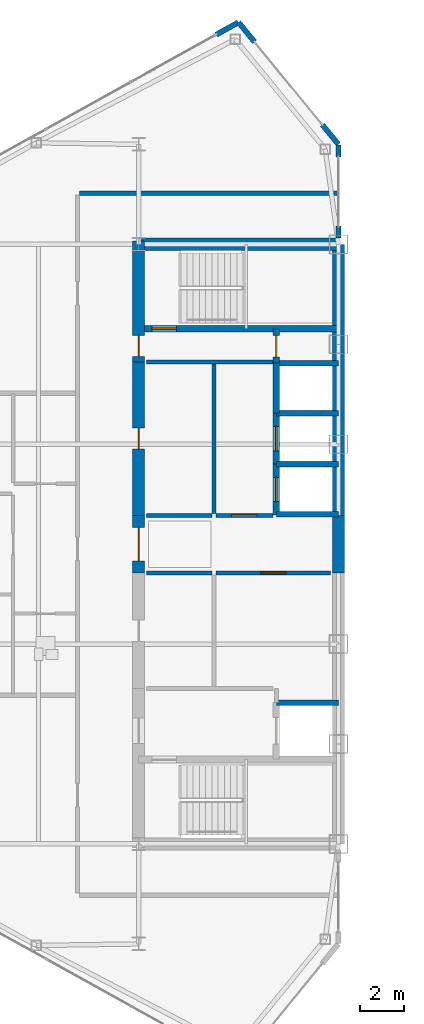
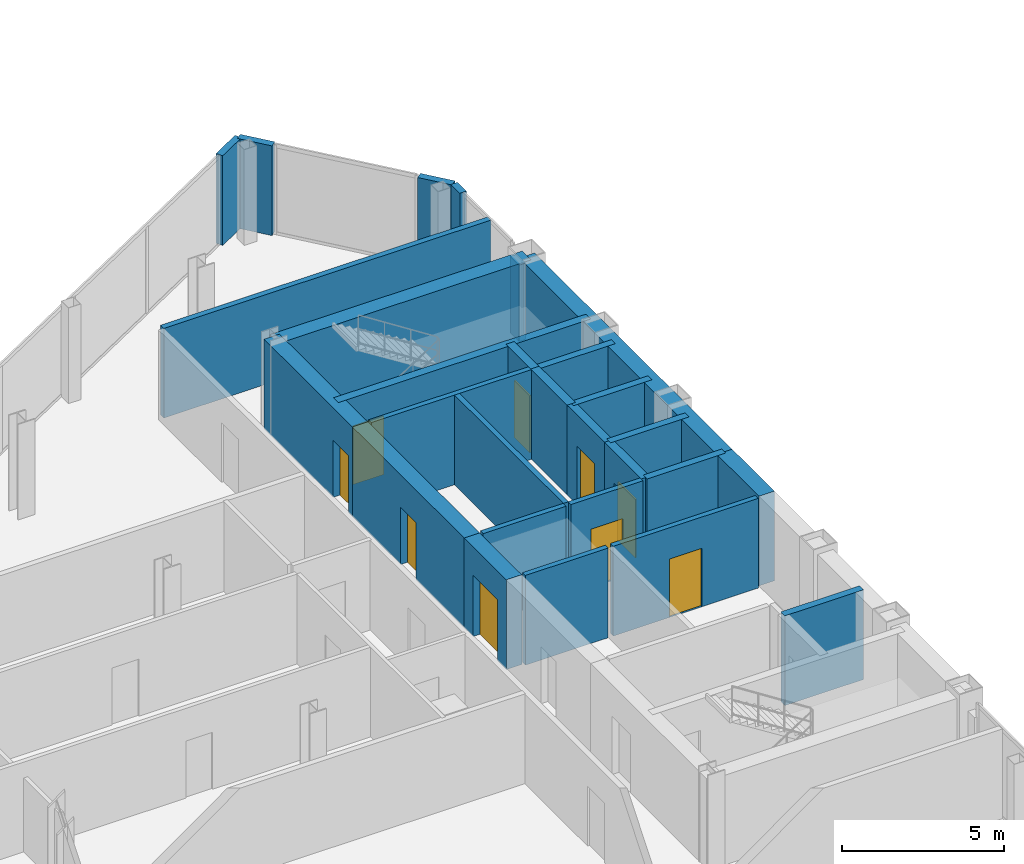
# One storey, part 20 of 25: 28 walls, 9 doors, 9 openings.
"""IFC4 building model written with IfcOpenShell, lengths in metres."""

from ifc_helpers import new_model, si_unit, direction, frame, frame_2d, origin, place, context, subcontext, project, spatial, rectangle, extrude, source, transform, mapped, material, layer, layer_set, type_object, type_shapes, element, fill, save


model = new_model("IFC4")

# Units and contexts
model_context = context("Model", 3, precision=1e-05, world=origin(), true_north=direction((0.0, 1.0)))
body_context = subcontext(model_context, "Body", "Model", "MODEL_VIEW")
ifc_project = project(units=[si_unit("LENGTHUNIT", "METRE"), si_unit("AREAUNIT", "SQUARE_METRE"), si_unit("VOLUMEUNIT", "CUBIC_METRE"), si_unit("PLANEANGLEUNIT", "RADIAN"), si_unit("MASSUNIT", "GRAM", prefix="KILO")], contexts=[model_context])

# Site, building, storey
site_placement = place(None, origin())
site = spatial("IfcSite", under=ifc_project, at=site_placement, CompositionType="ELEMENT")
building_placement = place(site_placement, origin())
building = spatial("IfcBuilding", under=site, at=building_placement, Name="Seokmaru Belvedere", CompositionType="ELEMENT")
storey_placement = place(building_placement, frame((0.0, 0.0, 185.10009765625)))
storey = spatial("IfcBuildingStorey", under=building, at=storey_placement, Name="L49", CompositionType="ELEMENT", Elevation=185.10009765625)

# Walls
ifc_material_1 = material(Name="Fire-Rated Gypsum Shaftwall")
ifc_layer_1 = layer(ifc_material_1, 0.179931640625)
ifc_layer_set_1 = layer_set([ifc_layer_1], Name="Fire-Rated Gypsum Shaftwall")
wall_type_1 = type_object("IfcWallType", Name="Core Service Fire Partition 180", PredefinedType="PARTITIONING", material=ifc_layer_set_1)
wall_1_placement = place(storey_placement, frame((-36.14990234375, 8.199951171875, 0.0), z_axis=(0.0, 0.0, 1.0), x_axis=(1.0, 0.0, 0.0)))
element("IfcWall", 1, at=wall_1_placement, inside=storey, type_object=wall_type_1, Name="L49 West Smokeproof Vestibule Partition", PredefinedType="PARTITIONING", context=body_context, shape_type="SweptSolid", body=[
    extrude(rectangle(XDim=5.699951171875, YDim=0.179931640625, at=frame_2d((2.85009765625, 0.0))), origin(), (0.0, 0.0, 1.0), 3.3798828125),
])
wall_2_placement = place(storey_placement, frame((-33.10009765625, 1.3798828125, 0.0), z_axis=(0.0, 0.0, 1.0), x_axis=(0.0, 1.0, 0.0)))
element("IfcWall", 2, at=wall_2_placement, inside=storey, type_object=wall_type_1, Name="L49 West North Core Service Back Wall", PredefinedType="PARTITIONING", context=body_context, shape_type="SweptSolid", body=[
    extrude(rectangle(XDim=6.740234375, YDim=0.179931640625, at=frame_2d((3.3701171875, 0.0))), origin(), (0.0, 0.0, 1.0), 3.3798828125),
])

# Wall, opening, door
wall_3_placement = place(storey_placement, frame((-33.02001953125, -1.300048828125, 0.0), z_axis=(0.0, 0.0, 1.0), x_axis=(1.0, 0.0, 0.0)))
wall_3 = element("IfcWall", 3, at=wall_3_placement, inside=storey, type_object=wall_type_1, Name="L49 West South Lift Lobby Foyer Wall", PredefinedType="PARTITIONING", context=body_context, shape_type="SweptSolid", body=[
    extrude(rectangle(XDim=5.169921875, YDim=0.179931640625, at=frame_2d((2.5849609375, 0.0))), origin(), (0.0, 0.0, 1.0), 3.3798828125),
])
opening_1_placement = place(wall_3_placement, frame((2.010009765625, 0.0, 0.0)))
opening_1 = element("IfcOpeningElement", 4, at=opening_1_placement, cuts=wall_3, Name="Opening D02", PredefinedType="OPENING", context=body_context, shape_type="SweptSolid", body=[
    extrude(rectangle(XDim=1.14990234375, YDim=2.199951171875, at=frame_2d((0.574951171875, 1.10009765625))), frame((0.0, 0.10009765625, 0.0), z_axis=(0.0, -1.0, 0.0), x_axis=(1.0, 0.0, 0.0)), (0.0, 0.0, 1.0), 0.199951171875),
])
ifc_material_2 = material(Name="Fire-Rated Steel Leaf", Category="steel")
door_type_1 = type_object("IfcDoorType", Name="Lobby and Vestibule Fire Door 1150x2200", OperationType="NOTDEFINED", PredefinedType="DOOR", material=ifc_material_2)
shared_shape_1 = source(origin(), body_context, "Body", "SweptSolid", [
    extrude(rectangle(XDim=1.14990234375, YDim=2.199951171875, at=frame_2d((0.574951171875, 1.10009765625))), frame((0.0, 0.02490234375, 0.0), z_axis=(0.0, -1.0, 0.0), x_axis=(1.0, 0.0, 0.0)), (0.0, 0.0, 1.0), 0.050048828125),
])
type_shapes(door_type_1, [shared_shape_1])
door_1_placement = place(opening_1_placement, origin())
door_1 = element("IfcDoor", 5, at=door_1_placement, inside=storey, type_object=door_type_1, Name="L49 West South Core Foyer Door", OperationType="SINGLE_SWING_LEFT", OverallHeight=2.199951171875, OverallWidth=1.14990234375, PredefinedType="DOOR", context=body_context, shape_type="MappedRepresentation", body=[
    mapped(shared_shape_1, transform((0.0, 0.0, 0.0), scale=1.0)),
])
fill(opening_1, door_1)

wall_4_placement = place(storey_placement, frame((-33.02001953125, 1.300048828125, 0.0), z_axis=(0.0, 0.0, 1.0), x_axis=(1.0, 0.0, 0.0)))
wall_4 = element("IfcWall", 6, at=wall_4_placement, inside=storey, type_object=wall_type_1, Name="L49 West North Lift Lobby Foyer Wall", PredefinedType="PARTITIONING", context=body_context, shape_type="SweptSolid", body=[
    extrude(rectangle(XDim=2.570068359375, YDim=0.179931640625, at=frame_2d((1.28515625, 0.0))), origin(), (0.0, 0.0, 1.0), 3.3798828125),
])
opening_2_placement = place(wall_4_placement, frame((0.7099609375, 0.0, 0.0)))
opening_2 = element("IfcOpeningElement", 7, at=opening_2_placement, cuts=wall_4, Name="Opening D02", PredefinedType="OPENING", context=body_context, shape_type="SweptSolid", body=[
    extrude(rectangle(XDim=1.14990234375, YDim=2.199951171875, at=frame_2d((0.574951171875, 1.10009765625))), frame((0.0, 0.10009765625, 0.0), z_axis=(0.0, -1.0, 0.0), x_axis=(1.0, 0.0, 0.0)), (0.0, 0.0, 1.0), 0.199951171875),
])
door_2_placement = place(opening_2_placement, origin())
door_2 = element("IfcDoor", 8, at=door_2_placement, inside=storey, type_object=door_type_1, Name="L49 West North Lift Lobby Door", OperationType="SINGLE_SWING_RIGHT", OverallHeight=2.199951171875, OverallWidth=1.14990234375, PredefinedType="DOOR", context=body_context, shape_type="MappedRepresentation", body=[
    mapped(shared_shape_1, transform((0.0, 0.0, 0.0), scale=1.0)),
])
fill(opening_2, door_2)

# Walls
for number, where, z_axis, x_axis, name in (
    (9, (-36.14990234375, -1.300048828125, 0.0), (0.0, 0.0, 1.0), (1.0, 0.0, 0.0), "L49 West Foyer Side Wall S"),
    (10, (-36.14990234375, 1.300048828125, 0.0), (0.0, 0.0, 1.0), (1.0, 0.0, 0.0), "L49 West Foyer Side Wall N"),
):
    element("IfcWall", number, at=place(storey_placement, frame(where, z_axis=z_axis, x_axis=x_axis)), inside=storey, type_object=wall_type_1, Name=name, PredefinedType="PARTITIONING", context=body_context, shape_type="SweptSolid", body=[
        extrude(rectangle(XDim=2.949951171875, YDim=0.179931640625, at=frame_2d((1.47509765625, 0.0))), origin(), (0.0, 0.0, 1.0), 3.3798828125),
    ])
ifc_material_3 = material(Name="Concrete C50 (50 MPa)", Category="concrete")
ifc_layer_2 = layer(ifc_material_3, 0.25)
ifc_layer_set_2 = layer_set([ifc_layer_2], Name="Concrete C50 (50 MPa)")
wall_type_2 = type_object("IfcWallType", Name="Hoistway Transverse Concrete Divider Wall 250", PredefinedType="SHEAR", material=ifc_layer_set_2)
for number, where, z_axis, x_axis, name in (
    (11, (-30.300048828125, -7.14990234375, 0.0), (0.0, 0.0, 1.0), (1.0, 0.0, 0.0), "L49 West Hoistway Divider Core Wall 1"),
    (12, (-30.300048828125, 1.35009765625, 0.0), (0.0, 0.0, 1.0), (1.0, 0.0, 0.0), "L49 West Hoistway Divider Core Wall 2"),
    (13, (-30.300048828125, 3.60009765625, 0.0), (0.0, 0.0, 1.0), (1.0, 0.0, 0.0), "L49 West Hoistway Divider Core Wall 3"),
    (14, (-30.300048828125, 5.89990234375, 0.0), (0.0, 0.0, 1.0), (1.0, 0.0, 0.0), "L49 West Hoistway Divider Core Wall 4"),
    (15, (-30.300048828125, 8.14990234375, 0.0), (0.0, 0.0, 1.0), (1.0, 0.0, 0.0), "L49 West Hoistway Divider Core Wall 5"),
):
    element("IfcWall", number, at=place(storey_placement, frame(where, z_axis=z_axis, x_axis=x_axis)), inside=storey, type_object=wall_type_2, Name=name, PredefinedType="SHEAR", context=body_context, shape_type="SweptSolid", body=[
        extrude(rectangle(XDim=2.800048828125, YDim=0.25, at=frame_2d((1.39990234375, 0.0))), origin(), (0.0, 0.0, 1.0), 3.3798828125),
    ])
ifc_layer_3 = layer(ifc_material_1, 0.199951171875)
ifc_layer_set_3 = layer_set([ifc_layer_3], Name="Fire-Rated Gypsum Shaftwall")
wall_type_3 = type_object("IfcWallType", Name="Inter-Tenancy Fire Compartment Partition 200", PredefinedType="PARTITIONING", material=ifc_layer_set_3)
wall_5_placement = place(storey_placement, frame((-39.1650390625, 15.800048828125, 0.0), z_axis=(0.0, 0.0, 1.0), x_axis=(1.0, 0.0, 0.0)))
element("IfcWall", 16, at=wall_5_placement, inside=storey, type_object=wall_type_3, Name="L49 Interior Partition 015", PredefinedType="PARTITIONING", context=body_context, shape_type="SweptSolid", body=[
    extrude(rectangle(XDim=11.6650390625, YDim=0.199951171875, at=frame_2d((5.83251953125, 0.0))), origin(), (0.0, 0.0, 1.0), 3.3798828125),
])

# Wall, opening, door
ifc_layer_4 = layer(ifc_material_3, 0.300048828125)
ifc_layer_set_4 = layer_set([ifc_layer_4], Name="Concrete C50 (50 MPa)")
wall_type_4 = type_object("IfcWallType", Name="Internal Core Stair and Hoistway Wall 300", PredefinedType="SHEAR", material=ifc_layer_set_4)
wall_6_placement = place(storey_placement, frame((-36.5, 9.699951171875, 0.0), z_axis=(0.0, 0.0, 1.0), x_axis=(1.0, 0.0, 0.0)))
wall_6 = element("IfcWall", 17, at=wall_6_placement, inside=storey, type_object=wall_type_4, Name="L49 West Stair ST-2 Enclosure Wall", PredefinedType="SHEAR", context=body_context, shape_type="SweptSolid", body=[
    extrude(rectangle(XDim=9.0, YDim=0.300048828125, at=frame_2d((4.5, 0.0))), origin(), (0.0, 0.0, 1.0), 3.3798828125),
])
opening_3_placement = place(wall_6_placement, frame((0.60009765625, 0.0, 0.0)))
opening_3 = element("IfcOpeningElement", 18, at=opening_3_placement, cuts=wall_6, Name="Opening D01", PredefinedType="OPENING", context=body_context, shape_type="SweptSolid", body=[
    extrude(rectangle(XDim=1.10009765625, YDim=2.199951171875, at=frame_2d((0.550048828125, 1.10009765625))), frame((0.0, 0.16015625, 0.0), z_axis=(0.0, -1.0, 0.0), x_axis=(1.0, 0.0, 0.0)), (0.0, 0.0, 1.0), 0.320068359375),
])
door_type_2 = type_object("IfcDoorType", Name="Special Escape Stair Smokeproof Fire Door 1100x2200", OperationType="NOTDEFINED", PredefinedType="DOOR", material=ifc_material_2)
shared_shape_2 = source(origin(), body_context, "Body", "SweptSolid", [
    extrude(rectangle(XDim=1.10009765625, YDim=2.199951171875, at=frame_2d((0.550048828125, 1.10009765625))), frame((0.0, 0.02490234375, 0.0), z_axis=(0.0, -1.0, 0.0), x_axis=(1.0, 0.0, 0.0)), (0.0, 0.0, 1.0), 0.050048828125),
])
type_shapes(door_type_2, [shared_shape_2])
door_3_placement = place(opening_3_placement, origin())
door_3 = element("IfcDoor", 19, at=door_3_placement, inside=storey, type_object=door_type_2, Name="L49 West Special Escape Stair ST-2 Door", OperationType="SINGLE_SWING_RIGHT", OverallHeight=2.199951171875, OverallWidth=1.10009765625, PredefinedType="DOOR", context=body_context, shape_type="MappedRepresentation", body=[
    mapped(shared_shape_2, transform((0.0, 0.0, 0.0), scale=1.0)),
])
fill(opening_3, door_3)

wall_7_placement = place(storey_placement, frame((-30.300048828125, 1.320068359375, 0.0), z_axis=(0.0, 0.0, 1.0), x_axis=(0.0, 1.0, 0.0)))
wall_7 = element("IfcWall", 20, at=wall_7_placement, inside=storey, type_object=wall_type_4, Name="L49 West North Hoistway Wall PH1", PredefinedType="SHEAR", context=body_context, shape_type="SweptSolid", body=[
    extrude(rectangle(XDim=2.280029296875, YDim=0.300048828125, at=frame_2d((1.14013671875, 0.0))), origin(), (0.0, 0.0, 1.0), 3.3798828125),
])
opening_4_placement = place(wall_7_placement, frame((0.590087890625, 0.0, 0.0)))
opening_4 = element("IfcOpeningElement", 21, at=opening_4_placement, cuts=wall_7, Name="Opening LD1", PredefinedType="OPENING", context=body_context, shape_type="SweptSolid", body=[
    extrude(rectangle(XDim=1.10009765625, YDim=2.199951171875, at=frame_2d((0.550048828125, 1.10009765625))), frame((0.0, 0.16015625, 0.0), z_axis=(0.0, -1.0, 0.0), x_axis=(1.0, 0.0, 0.0)), (0.0, 0.0, 1.0), 0.320068359375),
])
ifc_material_4 = material(Name="Stainless Steel 316", Category="steel")
door_type_3 = type_object("IfcDoorType", Name="Passenger Lift Sliding Landing Door 1100x2200", OperationType="DOUBLE_DOOR_SLIDING", PredefinedType="DOOR", material=ifc_material_4)
shared_shape_3 = source(origin(), body_context, "Body", "SweptSolid", [
    extrude(rectangle(XDim=1.10009765625, YDim=2.199951171875, at=frame_2d((0.550048828125, 1.10009765625))), frame((0.0, 0.02490234375, 0.0), z_axis=(0.0, -1.0, 0.0), x_axis=(1.0, 0.0, 0.0)), (0.0, 0.0, 1.0), 0.050048828125),
])
type_shapes(door_type_3, [shared_shape_3])
door_4_placement = place(opening_4_placement, origin())
door_4 = element("IfcDoor", 22, at=door_4_placement, inside=storey, type_object=door_type_3, Name="L49 West High-Rise Lift PH-1 Landing Door", OperationType="DOUBLE_DOOR_SLIDING", OverallHeight=2.199951171875, OverallWidth=1.10009765625, PredefinedType="DOOR", context=body_context, shape_type="MappedRepresentation", body=[
    mapped(shared_shape_3, transform((0.0, 0.0, 0.0), scale=1.0)),
])
fill(opening_4, door_4)

wall_8_placement = place(storey_placement, frame((-30.300048828125, 3.60009765625, 0.0), z_axis=(0.0, 0.0, 1.0), x_axis=(0.0, 1.0, 0.0)))
wall_8 = element("IfcWall", 23, at=wall_8_placement, inside=storey, type_object=wall_type_4, Name="L49 West North Hoistway Wall PH2", PredefinedType="SHEAR", context=body_context, shape_type="SweptSolid", body=[
    extrude(rectangle(XDim=2.2998046875, YDim=0.300048828125, at=frame_2d((1.14990234375, 0.0))), origin(), (0.0, 0.0, 1.0), 3.3798828125),
])
opening_5_placement = place(wall_8_placement, frame((0.60009765625, 0.0, 0.0)))
opening_5 = element("IfcOpeningElement", 24, at=opening_5_placement, cuts=wall_8, Name="Opening LD1", PredefinedType="OPENING", context=body_context, shape_type="SweptSolid", body=[
    extrude(rectangle(XDim=1.10009765625, YDim=2.199951171875, at=frame_2d((0.550048828125, 1.10009765625))), frame((0.0, 0.16015625, 0.0), z_axis=(0.0, -1.0, 0.0), x_axis=(1.0, 0.0, 0.0)), (0.0, 0.0, 1.0), 0.320068359375),
])
door_5_placement = place(opening_5_placement, origin())
door_5 = element("IfcDoor", 25, at=door_5_placement, inside=storey, type_object=door_type_3, Name="L49 West High-Rise Lift PH-2 Landing Door", OperationType="DOUBLE_DOOR_SLIDING", OverallHeight=2.199951171875, OverallWidth=1.10009765625, PredefinedType="DOOR", context=body_context, shape_type="MappedRepresentation", body=[
    mapped(shared_shape_3, transform((0.0, 0.0, 0.0), scale=1.0)),
])
fill(opening_5, door_5)

# Wall
wall_9_placement = place(storey_placement, frame((-30.300048828125, 5.89990234375, 0.0), z_axis=(0.0, 0.0, 1.0), x_axis=(0.0, 1.0, 0.0)))
element("IfcWall", 26, at=wall_9_placement, inside=storey, type_object=wall_type_4, Name="L49 West North Hoistway Wall OBS", PredefinedType="SHEAR", context=body_context, shape_type="SweptSolid", body=[
    extrude(rectangle(XDim=2.25, YDim=0.300048828125, at=frame_2d((1.125, 0.0))), origin(), (0.0, 0.0, 1.0), 3.3798828125),
])

# Wall, opening, door
wall_10_placement = place(storey_placement, frame((-30.300048828125, 8.14990234375, 0.0), z_axis=(0.0, 0.0, 1.0), x_axis=(0.0, 1.0, 0.0)))
wall_10 = element("IfcWall", 27, at=wall_10_placement, inside=storey, type_object=wall_type_4, Name="L49 West Electrical Riser Front Wall", PredefinedType="SHEAR", context=body_context, shape_type="SweptSolid", body=[
    extrude(rectangle(XDim=1.530029296875, YDim=0.300048828125, at=frame_2d((0.76513671875, 0.0))), origin(), (0.0, 0.0, 1.0), 3.3798828125),
])
opening_6_placement = place(wall_10_placement, frame((0.284912109375, 0.0, 0.0)))
opening_6 = element("IfcOpeningElement", 28, at=opening_6_placement, cuts=wall_10, Name="Opening D04", PredefinedType="OPENING", context=body_context, shape_type="SweptSolid", body=[
    extrude(rectangle(XDim=0.949951171875, YDim=2.14990234375, at=frame_2d((0.47509765625, 1.074951171875))), frame((0.0, 0.16015625, 0.0), z_axis=(0.0, -1.0, 0.0), x_axis=(1.0, 0.0, 0.0)), (0.0, 0.0, 1.0), 0.320068359375),
])
door_type_4 = type_object("IfcDoorType", Name="Core Service Room Fire Door 950x2150", OperationType="NOTDEFINED", PredefinedType="DOOR", material=ifc_material_2)
shared_shape_4 = source(origin(), body_context, "Body", "SweptSolid", [
    extrude(rectangle(XDim=0.949951171875, YDim=2.14990234375, at=frame_2d((0.47509765625, 1.074951171875))), frame((0.0, 0.02490234375, 0.0), z_axis=(0.0, -1.0, 0.0), x_axis=(1.0, 0.0, 0.0)), (0.0, 0.0, 1.0), 0.050048828125),
])
type_shapes(door_type_4, [shared_shape_4])
door_6_placement = place(opening_6_placement, origin())
door_6 = element("IfcDoor", 29, at=door_6_placement, inside=storey, type_object=door_type_4, Name="L49 West Electrical Riser Access Door", OperationType="SINGLE_SWING_LEFT", OverallHeight=2.14990234375, OverallWidth=0.949951171875, PredefinedType="DOOR", context=body_context, shape_type="MappedRepresentation", body=[
    mapped(shared_shape_4, transform((0.0, 0.0, 0.0), scale=1.0)),
])
fill(opening_6, door_6)

# Walls
ifc_layer_5 = layer(ifc_material_3, 0.550048828125)
ifc_layer_set_5 = layer_set([ifc_layer_5], Name="Concrete C50 (50 MPa)")
wall_type_5 = type_object("IfcWallType", Name="Mid-High Reinforced Concrete Core Wall 550", PredefinedType="SHEAR", material=ifc_layer_set_5)
wall_11_placement = place(storey_placement, frame((-27.5, 1.300048828125, 0.0), z_axis=(0.0, 0.0, 1.0), x_axis=(0.0, 1.0, 0.0)))
element("IfcWall", 30, at=wall_11_placement, inside=storey, type_object=wall_type_5, Name="L49 West Portal Spine Core Wall North", PredefinedType="SHEAR", context=body_context, shape_type="SweptSolid", body=[
    extrude(rectangle(XDim=12.199951171875, YDim=0.550048828125, at=frame_2d((6.10009765625, 0.0))), origin(), (0.0, 0.0, 1.0), 3.3798828125),
])
wall_12_placement = place(storey_placement, frame((-27.5, -1.300048828125, 0.0), z_axis=(0.0, 0.0, 1.0), x_axis=(0.0, 1.0, 0.0)))
element("IfcWall", 31, at=wall_12_placement, inside=storey, type_object=wall_type_5, Name="L49 West Portal Spine Core Wall Center", PredefinedType="SHEAR", context=body_context, shape_type="SweptSolid", body=[
    extrude(rectangle(XDim=2.60009765625, YDim=0.550048828125, at=frame_2d((1.300048828125, 0.0))), origin(), (0.0, 0.0, 1.0), 3.3798828125),
])
wall_13_placement = place(storey_placement, frame((-36.5, 13.5, 0.0), z_axis=(0.0, 0.0, 1.0), x_axis=(1.0, 0.0, 0.0)))
element("IfcWall", 32, at=wall_13_placement, inside=storey, type_object=wall_type_5, Name="L49 West North Core Wall", PredefinedType="SHEAR", context=body_context, shape_type="SweptSolid", body=[
    extrude(rectangle(XDim=9.0, YDim=0.550048828125, at=frame_2d((4.5, 0.0))), origin(), (0.0, 0.0, 1.0), 3.3798828125),
])

# Wall, opening, door
wall_14_placement = place(storey_placement, frame((-36.5, -1.300048828125, 0.0), z_axis=(0.0, 0.0, 1.0), x_axis=(0.0, 1.0, 0.0)))
wall_14 = element("IfcWall", 33, at=wall_14_placement, inside=storey, type_object=wall_type_5, Name="L49 West West Core Wall FOY", PredefinedType="SHEAR", context=body_context, shape_type="SweptSolid", body=[
    extrude(rectangle(XDim=2.60009765625, YDim=0.550048828125, at=frame_2d((1.300048828125, 0.0))), origin(), (0.0, 0.0, 1.0), 3.3798828125),
])
opening_7_placement = place(wall_14_placement, frame((0.550048828125, 0.0, 0.0)))
opening_7 = element("IfcOpeningElement", 34, at=opening_7_placement, cuts=wall_14, Name="Opening D08", PredefinedType="OPENING", context=body_context, shape_type="SweptSolid", body=[
    extrude(rectangle(XDim=1.5, YDim=2.300048828125, at=frame_2d((0.75, 1.14990234375))), frame((0.0, 0.28515625, 0.0), z_axis=(0.0, -1.0, 0.0), x_axis=(1.0, 0.0, 0.0)), (0.0, 0.0, 1.0), 0.570068359375),
])
door_type_5 = type_object("IfcDoorType", Name="Cross-Corridor Compartment Double Fire Door 1500x2300", OperationType="DOUBLE_SWING_LEFT", PredefinedType="DOOR", material=ifc_material_2)
shared_shape_5 = source(origin(), body_context, "Body", "SweptSolid", [
    extrude(rectangle(XDim=1.5, YDim=2.300048828125, at=frame_2d((0.75, 1.14990234375))), frame((0.0, 0.02490234375, 0.0), z_axis=(0.0, -1.0, 0.0), x_axis=(1.0, 0.0, 0.0)), (0.0, 0.0, 1.0), 0.050048828125),
])
type_shapes(door_type_5, [shared_shape_5])
door_7_placement = place(opening_7_placement, origin())
door_7 = element("IfcDoor", 35, at=door_7_placement, inside=storey, type_object=door_type_5, Name="L49 West Core Foyer Compartment Door", OperationType="DOUBLE_SWING_LEFT", OverallHeight=2.300048828125, OverallWidth=1.5, PredefinedType="DOOR", context=body_context, shape_type="MappedRepresentation", body=[
    mapped(shared_shape_5, transform((0.0, 0.0, 0.0), scale=1.0)),
])
fill(opening_7, door_7)

wall_15_placement = place(storey_placement, frame((-36.5, 8.199951171875, 0.0), z_axis=(0.0, 0.0, 1.0), x_axis=(0.0, 1.0, 0.0)))
wall_15 = element("IfcWall", 36, at=wall_15_placement, inside=storey, type_object=wall_type_5, Name="L49 West West Core Wall VST", PredefinedType="SHEAR", context=body_context, shape_type="SweptSolid", body=[
    extrude(rectangle(XDim=5.449951171875, YDim=0.550048828125, at=frame_2d((2.72509765625, 0.0))), origin(), (0.0, 0.0, 1.0), 3.3798828125),
])
opening_8_placement = place(wall_15_placement, frame((0.2451171875, 0.0, 0.0)))
opening_8 = element("IfcOpeningElement", 37, at=opening_8_placement, cuts=wall_15, Name="Opening D04", PredefinedType="OPENING", context=body_context, shape_type="SweptSolid", body=[
    extrude(rectangle(XDim=0.949951171875, YDim=2.14990234375, at=frame_2d((0.47509765625, 1.074951171875))), frame((0.0, 0.28515625, 0.0), z_axis=(0.0, -1.0, 0.0), x_axis=(1.0, 0.0, 0.0)), (0.0, 0.0, 1.0), 0.570068359375),
])
door_8_placement = place(opening_8_placement, frame((0.949951171875, 0.0, 0.0), z_axis=(0.0, 0.0, 1.0), x_axis=(-1.0, 0.0, 0.0)))
door_8 = element("IfcDoor", 38, at=door_8_placement, inside=storey, type_object=door_type_4, Name="L49 West Smokeproof Vestibule Door", OperationType="SINGLE_SWING_RIGHT", OverallHeight=2.14990234375, OverallWidth=0.949951171875, PredefinedType="DOOR", context=body_context, shape_type="MappedRepresentation", body=[
    mapped(shared_shape_4, transform((0.0, 0.0, 0.0), scale=1.0)),
])
fill(opening_8, door_8)

wall_16_placement = place(storey_placement, frame((-36.5, 1.300048828125, 0.0), z_axis=(0.0, 0.0, 1.0), x_axis=(0.0, 1.0, 0.0)))
wall_16 = element("IfcWall", 39, at=wall_16_placement, inside=storey, type_object=wall_type_5, Name="L49 West West Core Wall CS2", PredefinedType="SHEAR", context=body_context, shape_type="SweptSolid", body=[
    extrude(rectangle(XDim=6.89990234375, YDim=0.550048828125, at=frame_2d((3.449951171875, 0.0))), origin(), (0.0, 0.0, 1.0), 3.3798828125),
])
opening_9_placement = place(wall_16_placement, frame((2.97509765625, 0.0, 0.0)))
opening_9 = element("IfcOpeningElement", 40, at=opening_9_placement, cuts=wall_16, Name="Opening D04", PredefinedType="OPENING", context=body_context, shape_type="SweptSolid", body=[
    extrude(rectangle(XDim=0.949951171875, YDim=2.14990234375, at=frame_2d((0.47509765625, 1.074951171875))), frame((0.0, 0.28515625, 0.0), z_axis=(0.0, -1.0, 0.0), x_axis=(1.0, 0.0, 0.0)), (0.0, 0.0, 1.0), 0.570068359375),
])
door_9_placement = place(opening_9_placement, origin())
door_9 = element("IfcDoor", 41, at=door_9_placement, inside=storey, type_object=door_type_4, Name="L49 West Core Service Room Door 2", OperationType="SINGLE_SWING_RIGHT", OverallHeight=2.14990234375, OverallWidth=0.949951171875, PredefinedType="DOOR", context=body_context, shape_type="MappedRepresentation", body=[
    mapped(shared_shape_4, transform((0.0, 0.0, 0.0), scale=1.0)),
])
fill(opening_9, door_9)

# Walls
ifc_material_5 = material(Name="Anodised Bronze Aluminium", Category="aluminium")
ifc_layer_6 = layer(ifc_material_5, 0.239990234375)
ifc_layer_set_6 = layer_set([ifc_layer_6], Name="Anodised Bronze Aluminium")
wall_type_6 = type_object("IfcWallType", Name="Tower Corner Spandrel Closure Wall 240", PredefinedType="SOLIDWALL", material=ifc_layer_set_6)
wall_17_placement = place(storey_placement, frame((-27.5, 13.780029296875, 0.0), z_axis=(0.0, 0.0, 1.0), x_axis=(0.0, 1.0, 0.0)))
element("IfcWall", 42, at=wall_17_placement, inside=storey, type_object=wall_type_6, Name="L49 W Spine Closure Pier 2A", PredefinedType="SOLIDWALL", context=body_context, shape_type="SweptSolid", body=[
    extrude(rectangle(XDim=0.550048828125, YDim=0.239990234375, at=frame_2d((0.27490234375, 0.0))), origin(), (0.0, 0.0, 1.0), 2.8798828125),
])
wall_18_placement = place(storey_placement, frame((-27.5, 17.429931640625, 0.0), z_axis=(0.0, 0.0, 1.0), x_axis=(0.0, 1.0, 0.0)))
element("IfcWall", 43, at=wall_18_placement, inside=storey, type_object=wall_type_6, Name="L49 W Spine Closure Pier 2B", PredefinedType="SOLIDWALL", context=body_context, shape_type="SweptSolid", body=[
    extrude(rectangle(XDim=0.550048828125, YDim=0.239990234375, at=frame_2d((0.27490234375, 0.0))), origin(), (0.0, 0.0, 1.0), 3.3798828125),
])
for number, where, z_axis, x_axis, name in (
    (44, (-27.50634765625, 18.0078125, 0.0), (0.0, 0.0, 1.0), (-0.633249451965, 0.77394775766, 0.0), "L49 W Corner Closure Pier 2A"),
    (45, (-31.271728515625, 22.60986328125, 0.0), (0.0, 0.0, 1.0), (-0.633249451965, 0.77394775766, 0.0), "L49 W Corner Closure Pier 2B"),
):
    element("IfcWall", number, at=place(storey_placement, frame(where, z_axis=z_axis, x_axis=x_axis)), inside=storey, type_object=wall_type_6, Name=name, PredefinedType="SOLIDWALL", context=body_context, shape_type="SweptSolid", body=[
        extrude(rectangle(XDim=1.14013671875, YDim=0.239990234375, at=frame_2d((0.570068359375, 0.0))), origin(), (0.0, 0.0, 1.0), 3.3798828125),
    ])
wall_19_placement = place(storey_placement, frame((-32.0087890625, 23.4951171875, 0.0), z_axis=(0.0, 0.0, 1.0), x_axis=(-0.87385402111, -0.486188389196, 0.0)))
element("IfcWall", 46, at=wall_19_placement, inside=storey, type_object=wall_type_6, Name="L49 W Corner Closure Pier 3A", PredefinedType="SOLIDWALL", context=body_context, shape_type="SweptSolid", body=[
    extrude(rectangle(XDim=1.139892578125, YDim=0.239990234375, at=frame_2d((0.56982421875, 0.0))), origin(), (0.0, 0.0, 1.0), 3.3798828125),
])

save(model, "model.ifc")
